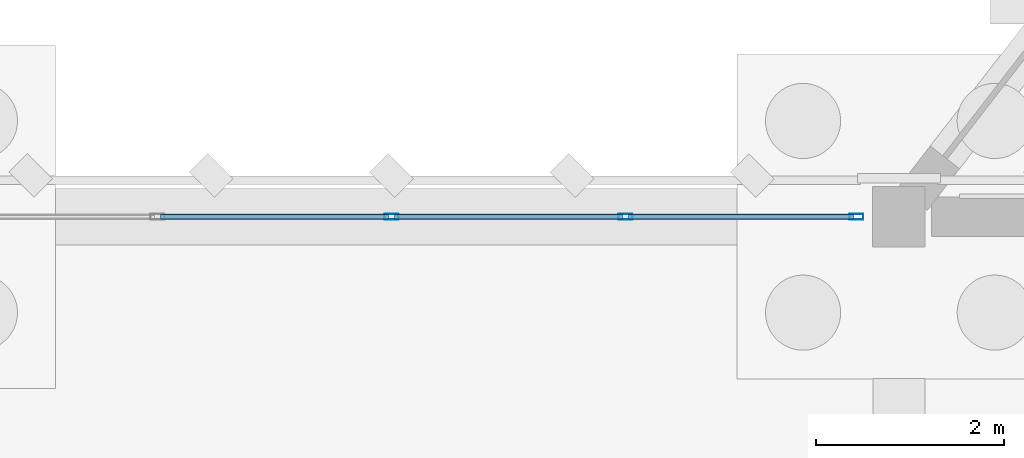
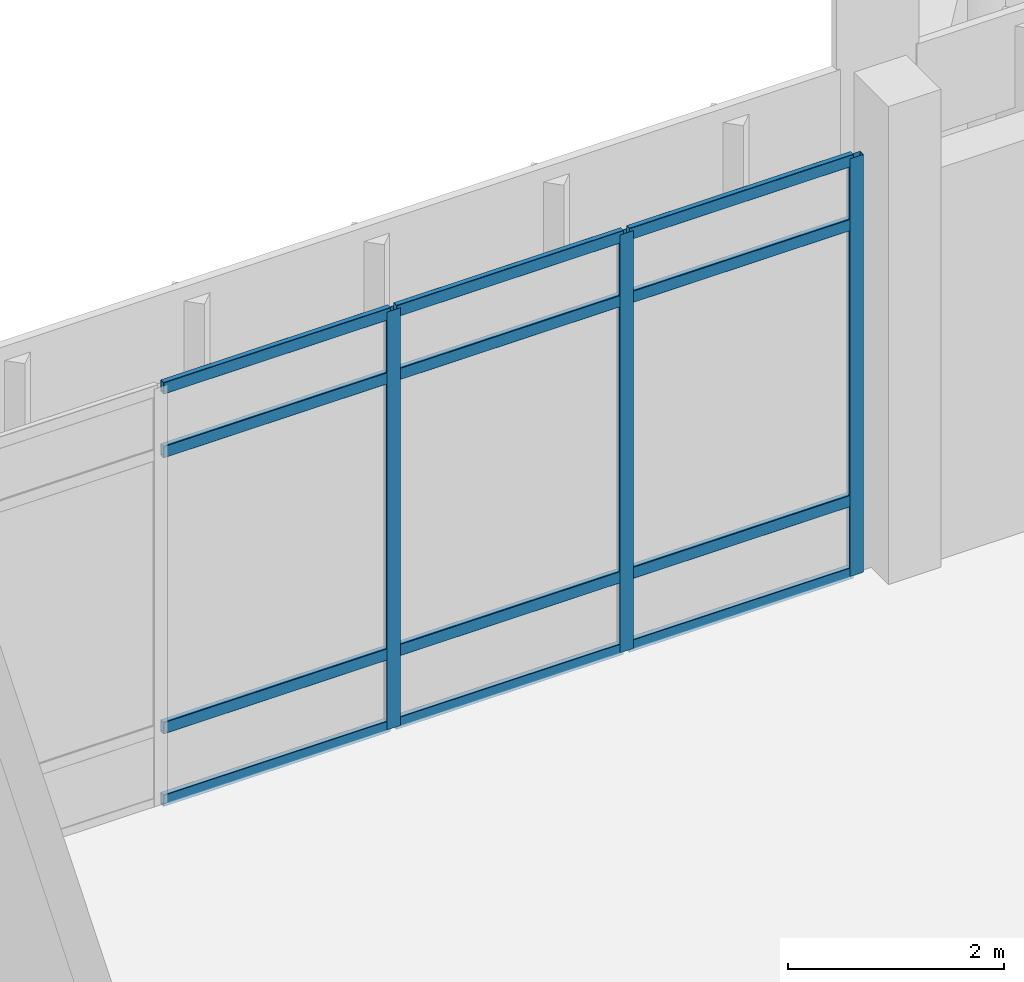
# One storey, part 44 of 109: 15 members, 1 element without a shape of its own.
"""IFC4 building model written with IfcOpenShell, lengths in metres."""

from ifc_helpers import new_model, si_unit, direction, frame, origin, origin_2d, place, context, subcontext, project, spatial, hollow_rectangle, extrude, material, material_profile, profile_set, type_object, element, aggregate, save


model = new_model("IFC4")

# Units and contexts
model_context = context("Model", 3, precision=1e-05, world=origin(), true_north=direction((0.0, 1.0)))
body_context = subcontext(model_context, "Body", "Model", "MODEL_VIEW")
ifc_project = project(units=[si_unit("LENGTHUNIT", "METRE"), si_unit("AREAUNIT", "SQUARE_METRE"), si_unit("VOLUMEUNIT", "CUBIC_METRE"), si_unit("PLANEANGLEUNIT", "RADIAN"), si_unit("MASSUNIT", "GRAM", prefix="KILO")], contexts=[model_context])

# Site, building, storey
site_placement = place(None, origin())
site = spatial("IfcSite", under=ifc_project, at=site_placement, CompositionType="ELEMENT")
building_placement = place(site_placement, origin())
building = spatial("IfcBuilding", under=site, at=building_placement, Name="Lusvemor Sports Hall", CompositionType="ELEMENT")
storey_placement = place(building_placement, origin())
storey = spatial("IfcBuildingStorey", under=building, at=storey_placement, Name="L00", CompositionType="ELEMENT", Elevation=0.0)

# Curtain wall, members
ifc_material_1 = material(Name="Thermally broken bronze-anodized aluminium", Category="aluminium")
curtain_wall_type = type_object("IfcCurtainWallType", Name="CW_WING_B", PredefinedType="NOTDEFINED", material=ifc_material_1)
curtain_wall_placement = place(storey_placement, origin())
curtain_wall = element("IfcCurtainWall", 1, at=curtain_wall_placement, inside=storey, type_object=curtain_wall_type, Name="Curtain Wall CW-L00-N-1-1", PredefinedType="NOTDEFINED")
ifc_material_2 = material(Name="Thermally broken bronze-anodized aluminium", Category="aluminium")
ifc_material_profile_1 = material_profile(ifc_material_2, hollow_rectangle(XDim=0.06494140625, YDim=0.14990234375, WallThickness=0.00390625, InnerFilletRadius=0.00390625, OuterFilletRadius=0.008056640625, at=origin_2d()), Name="CWMUL150x65x4")
ifc_profile_set_1 = profile_set([ifc_material_profile_1], Name="Thermally broken bronze-anodized aluminium")
member_type_1 = type_object("IfcMemberType", Name="CW_MUL_B", PredefinedType="MULLION", material=ifc_profile_set_1)
member_1_placement = place(storey_placement, frame((16.199951171875, 115.199951171875, 0.0), z_axis=(0.0, 0.0, 1.0), x_axis=(0.0, 1.0, 0.0)))
member_1 = element("IfcMember", 2, at=member_1_placement, type_object=member_type_1, Name="CW02 mullion 3", PredefinedType="MULLION", context=body_context, shape_type="SweptSolid", body=[
    extrude(hollow_rectangle(XDim=0.06494140625, YDim=0.14990234375, WallThickness=0.00390625, InnerFilletRadius=0.00390625, OuterFilletRadius=0.008056640625, at=origin_2d()), origin(), (0.0, 0.0, 1.0), 4.719970703125),
])
member_2_placement = place(storey_placement, frame((18.68994140625, 115.199951171875, 0.0), z_axis=(0.0, 0.0, 1.0), x_axis=(0.0, 1.0, 0.0)))
member_2 = element("IfcMember", 3, at=member_2_placement, type_object=member_type_1, Name="CW02 mullion 4", PredefinedType="MULLION", context=body_context, shape_type="SweptSolid", body=[
    extrude(hollow_rectangle(XDim=0.06494140625, YDim=0.14990234375, WallThickness=0.00390625, InnerFilletRadius=0.00390625, OuterFilletRadius=0.008056640625, at=origin_2d()), origin(), (0.0, 0.0, 1.0), 4.719970703125),
])
member_3_placement = place(storey_placement, frame((21.1474609375, 115.199951171875, 0.0), z_axis=(0.0, 0.0, 1.0), x_axis=(0.0, 1.0, 0.0)))
member_3 = element("IfcMember", 4, at=member_3_placement, type_object=member_type_1, Name="CW02 mullion 5", PredefinedType="MULLION", context=body_context, shape_type="SweptSolid", body=[
    extrude(hollow_rectangle(XDim=0.06494140625, YDim=0.14990234375, WallThickness=0.00390625, InnerFilletRadius=0.00390625, OuterFilletRadius=0.008056640625, at=origin_2d()), origin(), (0.0, 0.0, 1.0), 4.719970703125),
])
ifc_material_3 = material(Name="Thermally broken bronze-anodized aluminium", Category="aluminium")
ifc_material_profile_2 = material_profile(ifc_material_3, hollow_rectangle(XDim=0.06005859375, YDim=0.135009765625, WallThickness=0.00390625, InnerFilletRadius=0.00390625, OuterFilletRadius=0.008056640625, at=origin_2d()), Name="CWTRN135x60x4")
ifc_profile_set_2 = profile_set([ifc_material_profile_2], Name="Thermally broken bronze-anodized aluminium")
member_type_2 = type_object("IfcMemberType", Name="CW_TRN_B", PredefinedType="USERDEFINED", material=ifc_profile_set_2)
member_4_placement = place(storey_placement, frame((13.742431640625, 115.199951171875, 0.030029296875), z_axis=(1.0, 0.0, 0.0), x_axis=(0.0, 1.0, 0.0)))
member_4 = element("IfcMember", 5, at=member_4_placement, type_object=member_type_2, Name="CW02 transom 2.1", ObjectType="TRANSOM", PredefinedType="USERDEFINED", context=body_context, shape_type="SweptSolid", body=[
    extrude(hollow_rectangle(XDim=0.06005859375, YDim=0.135009765625, WallThickness=0.00390625, InnerFilletRadius=0.00390625, OuterFilletRadius=0.008056640625, at=origin_2d()), origin(), (0.0, 0.0, 1.0), 2.425048828125),
])
member_5_placement = place(storey_placement, frame((13.742431640625, 115.199951171875, 0.85009765625), z_axis=(1.0, 0.0, 0.0), x_axis=(0.0, 1.0, 0.0)))
member_5 = element("IfcMember", 6, at=member_5_placement, type_object=member_type_2, Name="CW02 transom 2.2", ObjectType="TRANSOM", PredefinedType="USERDEFINED", context=body_context, shape_type="SweptSolid", body=[
    extrude(hollow_rectangle(XDim=0.06005859375, YDim=0.135009765625, WallThickness=0.00390625, InnerFilletRadius=0.00390625, OuterFilletRadius=0.008056640625, at=origin_2d()), origin(), (0.0, 0.0, 1.0), 2.425048828125),
])
member_6_placement = place(storey_placement, frame((13.742431640625, 115.199951171875, 3.969970703125), z_axis=(1.0, 0.0, 0.0), x_axis=(0.0, 1.0, 0.0)))
member_6 = element("IfcMember", 7, at=member_6_placement, type_object=member_type_2, Name="CW02 transom 2.3", ObjectType="TRANSOM", PredefinedType="USERDEFINED", context=body_context, shape_type="SweptSolid", body=[
    extrude(hollow_rectangle(XDim=0.06005859375, YDim=0.135009765625, WallThickness=0.00390625, InnerFilletRadius=0.00390625, OuterFilletRadius=0.008056640625, at=origin_2d()), origin(), (0.0, 0.0, 1.0), 2.425048828125),
])
member_7_placement = place(storey_placement, frame((13.742431640625, 115.199951171875, 4.68994140625), z_axis=(1.0, 0.0, 0.0), x_axis=(0.0, 1.0, 0.0)))
member_7 = element("IfcMember", 8, at=member_7_placement, type_object=member_type_2, Name="CW02 transom 2.4", ObjectType="TRANSOM", PredefinedType="USERDEFINED", context=body_context, shape_type="SweptSolid", body=[
    extrude(hollow_rectangle(XDim=0.06005859375, YDim=0.135009765625, WallThickness=0.00390625, InnerFilletRadius=0.00390625, OuterFilletRadius=0.008056640625, at=origin_2d()), origin(), (0.0, 0.0, 1.0), 2.425048828125),
])
member_8_placement = place(storey_placement, frame((16.232421875, 115.199951171875, 0.030029296875), z_axis=(1.0, 0.0, 0.0), x_axis=(0.0, 1.0, 0.0)))
member_8 = element("IfcMember", 9, at=member_8_placement, type_object=member_type_2, Name="CW02 transom 3.1", ObjectType="TRANSOM", PredefinedType="USERDEFINED", context=body_context, shape_type="SweptSolid", body=[
    extrude(hollow_rectangle(XDim=0.06005859375, YDim=0.135009765625, WallThickness=0.00390625, InnerFilletRadius=0.00390625, OuterFilletRadius=0.008056640625, at=origin_2d()), origin(), (0.0, 0.0, 1.0), 2.425048828125),
])
member_9_placement = place(storey_placement, frame((16.232421875, 115.199951171875, 0.85009765625), z_axis=(1.0, 0.0, 0.0), x_axis=(0.0, 1.0, 0.0)))
member_9 = element("IfcMember", 10, at=member_9_placement, type_object=member_type_2, Name="CW02 transom 3.2", ObjectType="TRANSOM", PredefinedType="USERDEFINED", context=body_context, shape_type="SweptSolid", body=[
    extrude(hollow_rectangle(XDim=0.06005859375, YDim=0.135009765625, WallThickness=0.00390625, InnerFilletRadius=0.00390625, OuterFilletRadius=0.008056640625, at=origin_2d()), origin(), (0.0, 0.0, 1.0), 2.425048828125),
])
member_10_placement = place(storey_placement, frame((16.232421875, 115.199951171875, 3.969970703125), z_axis=(1.0, 0.0, 0.0), x_axis=(0.0, 1.0, 0.0)))
member_10 = element("IfcMember", 11, at=member_10_placement, type_object=member_type_2, Name="CW02 transom 3.3", ObjectType="TRANSOM", PredefinedType="USERDEFINED", context=body_context, shape_type="SweptSolid", body=[
    extrude(hollow_rectangle(XDim=0.06005859375, YDim=0.135009765625, WallThickness=0.00390625, InnerFilletRadius=0.00390625, OuterFilletRadius=0.008056640625, at=origin_2d()), origin(), (0.0, 0.0, 1.0), 2.425048828125),
])
member_11_placement = place(storey_placement, frame((16.232421875, 115.199951171875, 4.68994140625), z_axis=(1.0, 0.0, 0.0), x_axis=(0.0, 1.0, 0.0)))
member_11 = element("IfcMember", 12, at=member_11_placement, type_object=member_type_2, Name="CW02 transom 3.4", ObjectType="TRANSOM", PredefinedType="USERDEFINED", context=body_context, shape_type="SweptSolid", body=[
    extrude(hollow_rectangle(XDim=0.06005859375, YDim=0.135009765625, WallThickness=0.00390625, InnerFilletRadius=0.00390625, OuterFilletRadius=0.008056640625, at=origin_2d()), origin(), (0.0, 0.0, 1.0), 2.425048828125),
])
member_12_placement = place(storey_placement, frame((18.722412109375, 115.199951171875, 0.030029296875), z_axis=(1.0, 0.0, 0.0), x_axis=(0.0, 1.0, 0.0)))
member_12 = element("IfcMember", 13, at=member_12_placement, type_object=member_type_2, Name="CW02 transom 4.1", ObjectType="TRANSOM", PredefinedType="USERDEFINED", context=body_context, shape_type="SweptSolid", body=[
    extrude(hollow_rectangle(XDim=0.06005859375, YDim=0.135009765625, WallThickness=0.00390625, InnerFilletRadius=0.00390625, OuterFilletRadius=0.008056640625, at=origin_2d()), origin(), (0.0, 0.0, 1.0), 2.392578125),
])
member_13_placement = place(storey_placement, frame((18.722412109375, 115.199951171875, 0.85009765625), z_axis=(1.0, 0.0, 0.0), x_axis=(0.0, 1.0, 0.0)))
member_13 = element("IfcMember", 14, at=member_13_placement, type_object=member_type_2, Name="CW02 transom 4.2", ObjectType="TRANSOM", PredefinedType="USERDEFINED", context=body_context, shape_type="SweptSolid", body=[
    extrude(hollow_rectangle(XDim=0.06005859375, YDim=0.135009765625, WallThickness=0.00390625, InnerFilletRadius=0.00390625, OuterFilletRadius=0.008056640625, at=origin_2d()), origin(), (0.0, 0.0, 1.0), 2.392578125),
])
member_14_placement = place(storey_placement, frame((18.722412109375, 115.199951171875, 3.969970703125), z_axis=(1.0, 0.0, 0.0), x_axis=(0.0, 1.0, 0.0)))
member_14 = element("IfcMember", 15, at=member_14_placement, type_object=member_type_2, Name="CW02 transom 4.3", ObjectType="TRANSOM", PredefinedType="USERDEFINED", context=body_context, shape_type="SweptSolid", body=[
    extrude(hollow_rectangle(XDim=0.06005859375, YDim=0.135009765625, WallThickness=0.00390625, InnerFilletRadius=0.00390625, OuterFilletRadius=0.008056640625, at=origin_2d()), origin(), (0.0, 0.0, 1.0), 2.392578125),
])
member_15_placement = place(storey_placement, frame((18.722412109375, 115.199951171875, 4.68994140625), z_axis=(1.0, 0.0, 0.0), x_axis=(0.0, 1.0, 0.0)))
member_15 = element("IfcMember", 16, at=member_15_placement, type_object=member_type_2, Name="CW02 transom 4.4", ObjectType="TRANSOM", PredefinedType="USERDEFINED", context=body_context, shape_type="SweptSolid", body=[
    extrude(hollow_rectangle(XDim=0.06005859375, YDim=0.135009765625, WallThickness=0.00390625, InnerFilletRadius=0.00390625, OuterFilletRadius=0.008056640625, at=origin_2d()), origin(), (0.0, 0.0, 1.0), 2.392578125),
])
aggregate(curtain_wall, [member_1, member_2, member_3, member_4, member_5, member_6, member_7, member_8, member_9, member_10, member_11, member_12, member_13, member_14, member_15])

save(model, "model.ifc")
